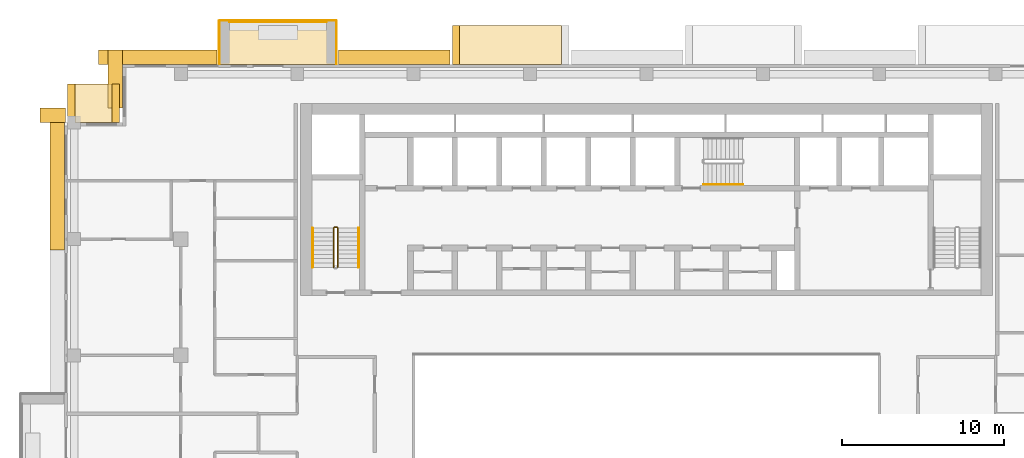
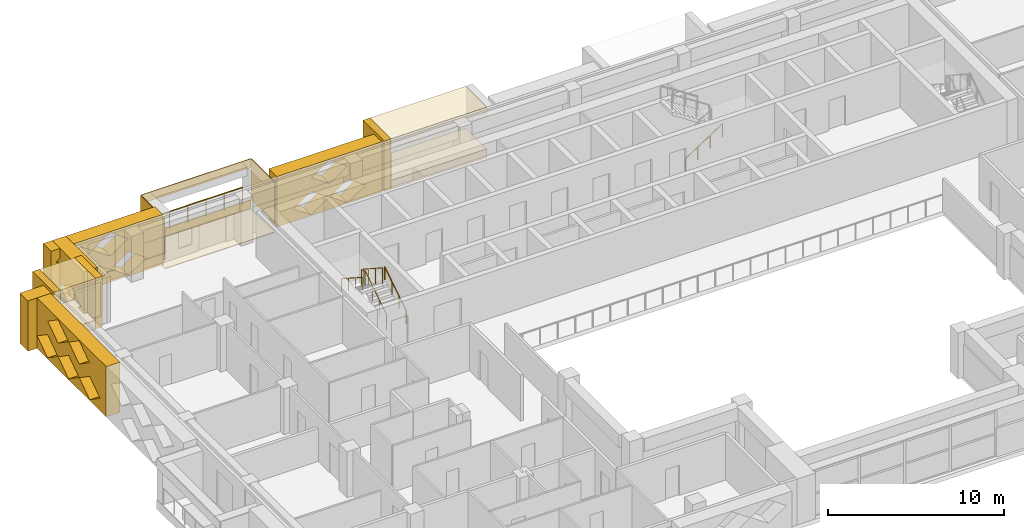
# One storey, part 18 of 20: 17 coverings, 5 railings.
"""IFC4 building model written with IfcOpenShell, lengths in metres."""

import ifcopenshell
import ifcopenshell.guid

model = None  # the IFC model being written
_history = None  # IfcOwnerHistory: only IFC2X3 demands one
_inside = {}  # id of a spatial element -> (the spatial element, [elements in it])
_under = {}  # id of a project, library or spatial element -> (it, [spatial elements below it])
_declared = {}  # id of a project -> (the project, [libraries it declares])
_typed = {}  # id of a type object -> (the type object, [elements of that type])
_made_of = {}  # id of a material, layer set ... -> (it, [elements and type objects made of it])


def new_model(schema):
    """Start an empty IFC model of exactly this schema.

    Asked for "IFC4X3", IfcOpenShell would pick the latest addendum, in which some entities
    have other attributes; the version numbers below select the first issue.
    IFC2X3 requires an IfcOwnerHistory on every rooted entity: one is made here for all.
    """
    global model, _history
    if schema == "IFC4X3":
        model = ifcopenshell.file(schema_version=(4, 3, 0, 0))
    else:
        model = ifcopenshell.file(schema=schema)
    _inside.clear()
    _under.clear()
    _declared.clear()
    _typed.clear()
    _made_of.clear()
    _history = None
    if model.schema == "IFC2X3":
        org = make("IfcOrganization", Name="unknown")
        user = make(
            "IfcPersonAndOrganization",
            ThePerson=make("IfcPerson", FamilyName="unknown"),
            TheOrganization=org,
        )
        app = make(
            "IfcApplication",
            ApplicationDeveloper=org,
            Version="unknown",
            ApplicationFullName="unknown",
            ApplicationIdentifier="unknown",
        )
        _history = make(
            "IfcOwnerHistory",
            OwningUser=user,
            OwningApplication=app,
            ChangeAction="ADDED",
            CreationDate=0,
        )
    return model


def make(cls, **values):
    """One entity of the class cls with the attributes given. An attribute that is None is left unset."""
    return model.create_entity(
        cls, **{name: value for name, value in values.items() if value is not None}
    )


def rooted(cls, **values):
    """An entity with a GlobalId (a new one), such as an element, a storey or a relation."""
    return make(cls, GlobalId=ifcopenshell.guid.new(), OwnerHistory=_history, **values)


def si_unit(unit_type, name, prefix=None):
    """IfcSIUnit, for example si_unit("LENGTHUNIT", "METRE", prefix="MILLI")."""
    return make("IfcSIUnit", UnitType=unit_type, Prefix=prefix, Name=name)


def assignment(units):
    """IfcUnitAssignment: the units of a project."""
    return None if units is None else make("IfcUnitAssignment", Units=units)


def point(xyz):
    """IfcCartesianPoint."""
    return None if xyz is None else make("IfcCartesianPoint", Coordinates=xyz)


def direction(xyz):
    """IfcDirection."""
    return None if xyz is None else make("IfcDirection", DirectionRatios=xyz)


def frame(location, z_axis=None, x_axis=None):
    """IfcAxis2Placement3D, a coordinate frame: its origin and axes. An axis left out is left unset."""
    return make(
        "IfcAxis2Placement3D",
        Location=point(location),
        Axis=direction(z_axis),
        RefDirection=direction(x_axis),
    )


def frame_2d(location, x_axis=None):
    """IfcAxis2Placement2D, a coordinate frame in the plane: its origin and x axis."""
    return make(
        "IfcAxis2Placement2D", Location=point(location), RefDirection=direction(x_axis)
    )


def origin():
    """The frame at (0, 0, 0) with its axes left unset."""
    return frame((0.0, 0.0, 0.0))


def origin_2d():
    """The frame at (0, 0) in the plane with its x axis left unset."""
    return frame_2d((0.0, 0.0))


def place(relative_to, where):
    """IfcLocalPlacement: puts the frame where relative to a parent placement (None: the world)."""
    return make(
        "IfcLocalPlacement", PlacementRelTo=relative_to, RelativePlacement=where
    )


def context(
    kind, dimensions, precision=None, world=None, true_north=None, identifier=None
):
    """IfcGeometricRepresentationContext, for example the 3D "Model" context."""
    return make(
        "IfcGeometricRepresentationContext",
        ContextIdentifier=identifier,
        ContextType=kind,
        CoordinateSpaceDimension=dimensions,
        Precision=precision,
        WorldCoordinateSystem=world,
        TrueNorth=true_north,
    )


def subcontext(parent, identifier, kind, view, scale=None):
    """IfcGeometricRepresentationSubContext, for example "Body" below "Model"."""
    return make(
        "IfcGeometricRepresentationSubContext",
        ContextIdentifier=identifier,
        ContextType=kind,
        ParentContext=parent,
        TargetScale=scale,
        TargetView=view,
    )


def project(units=None, contexts=None):
    """IfcProject with its units and contexts."""
    return rooted(
        "IfcProject",
        Name="project",
        RepresentationContexts=contexts,
        UnitsInContext=assignment(units),
    )


def spatial(cls, under=None, at=None, **own):
    """A site, building, storey or space (cls), placed at a placement, below another one or the project."""
    s = rooted(cls, ObjectPlacement=at, **own)
    if under is not None:
        _under.setdefault(under.id(), (under, []))[1].append(s)
    return s


def polyline(points):
    """IfcPolyline through the points."""
    return make("IfcPolyline", Points=[point(p) for p in points])


def profile(cls, at=None, kind="AREA", **sizes):
    """A parametric profile (cls). Its sizes go by their IFC names, for example OverallWidth=200.0."""
    return make(cls, ProfileType=kind, Position=at, **sizes)


def circle(**sizes):
    """IfcCircleProfileDef."""
    return profile("IfcCircleProfileDef", **sizes)


def outline(outer, holes=None, kind="AREA"):
    """IfcArbitraryClosedProfileDef: a profile drawn as a closed curve; with holes, ...WithVoids."""
    if holes is None:
        return make("IfcArbitraryClosedProfileDef", ProfileType=kind, OuterCurve=outer)
    return make(
        "IfcArbitraryProfileDefWithVoids",
        ProfileType=kind,
        OuterCurve=outer,
        InnerCurves=holes,
    )


def extrude(swept, where, along, depth):
    """IfcExtrudedAreaSolid: the profile swept, set in the frame where, extruded along a direction by depth."""
    return make(
        "IfcExtrudedAreaSolid",
        SweptArea=swept,
        Position=where,
        ExtrudedDirection=direction(along),
        Depth=depth,
    )


def shape(context_of_items, identifier, shape_type, items):
    """IfcShapeRepresentation: the items that make up one representation, for example the "Body"."""
    return make(
        "IfcShapeRepresentation",
        ContextOfItems=context_of_items,
        RepresentationIdentifier=identifier,
        RepresentationType=shape_type,
        Items=items,
    )


def material(Name=None, Category=None):
    """IfcMaterial."""
    return make("IfcMaterial", Name=Name, Category=Category)


def layer(
    of_material, thickness, ventilated=None, Name=None, Category=None, Priority=None
):
    """IfcMaterialLayer: one layer of a wall or slab, of a material (None: an air gap)."""
    return make(
        "IfcMaterialLayer",
        Material=of_material,
        LayerThickness=thickness,
        IsVentilated=ventilated,
        Name=Name,
        Category=Category,
        Priority=Priority,
    )


def layer_set(layers, Name=None):
    """IfcMaterialLayerSet."""
    return make("IfcMaterialLayerSet", MaterialLayers=layers, LayerSetName=Name)


def made_of(thing, what):
    """Note that an element or type object is made of a material, layer set ...; save() writes the relation."""
    if what is not None:
        _made_of.setdefault(what.id(), (what, []))[1].append(thing)
    return thing


def type_object(cls, material=None, **own):
    """A type object (cls), such as IfcWallType, which elements share."""
    return made_of(rooted(cls, **own), material)


def element(
    cls,
    number,
    at=None,
    inside=None,
    cuts=None,
    type_object=None,
    material=None,
    context=None,
    identifier="Body",
    shape_type=None,
    held_by="IfcProductDefinitionShape",
    body=None,
    shapes=None,
    **own,
):
    """One element of the class cls, such as IfcWall. Its Tag is "e" and its number.

    at: its placement. inside: the storey or other place that contains it. cuts: it is an
    opening in that element (IfcRelVoidsElement). A single representation is given by context,
    identifier, shape_type and body (its items); several are given by shapes. held_by: the class
    of the entity that holds the representations. save() writes the other relations.
    """
    e = rooted(cls, Tag="e%d" % number, ObjectPlacement=at, **own)
    if body is not None:
        shapes = [shape(context, identifier, shape_type, body)]
    if shapes is not None:
        e.Representation = make(held_by, Representations=shapes)
    if inside is not None:
        _inside.setdefault(inside.id(), (inside, []))[1].append(e)
    if cuts is not None:
        rooted(
            "IfcRelVoidsElement", RelatingBuildingElement=cuts, RelatedOpeningElement=e
        )
    if type_object is not None:
        _typed.setdefault(type_object.id(), (type_object, []))[1].append(e)
    return made_of(e, material)


def aggregate(whole, parts):
    """IfcRelAggregates: a whole, such as a stair, and the parts it consists of."""
    return rooted("IfcRelAggregates", RelatingObject=whole, RelatedObjects=parts)


def save(model, path):
    """Write the relations noted so far, then the file.

    IfcRelAggregates (storeys below a building ...), IfcRelContainedInSpatialStructure (elements
    in a storey), IfcRelDefinesByType, IfcRelAssociatesMaterial and IfcRelDeclares: one each for
    every whole, place, type object, material and project.
    """
    for whole, parts in _under.values():
        aggregate(whole, parts)
    for where, things in _inside.values():
        rooted(
            "IfcRelContainedInSpatialStructure",
            RelatedElements=things,
            RelatingStructure=where,
        )
    for kind, things in _typed.values():
        rooted("IfcRelDefinesByType", RelatedObjects=things, RelatingType=kind)
    for what, things in _made_of.values():
        rooted("IfcRelAssociatesMaterial", RelatedObjects=things, RelatingMaterial=what)
    for by, libraries in _declared.values():
        rooted("IfcRelDeclares", RelatingContext=by, RelatedDefinitions=libraries)
    model.write(path)


model = new_model("IFC4")

# Units and contexts
model_context = context("Model", 3, precision=1e-05, world=origin(), true_north=direction((0.0, 1.0)))
body_context = subcontext(model_context, "Body", "Model", "MODEL_VIEW")
ifc_project = project(units=[si_unit("LENGTHUNIT", "METRE"), si_unit("AREAUNIT", "SQUARE_METRE"), si_unit("VOLUMEUNIT", "CUBIC_METRE"), si_unit("PLANEANGLEUNIT", "RADIAN"), si_unit("MASSUNIT", "GRAM", prefix="KILO")], contexts=[model_context])

# Site, building, storey
site_placement = place(None, origin())
site = spatial("IfcSite", under=ifc_project, at=site_placement, CompositionType="ELEMENT")
building_placement = place(site_placement, origin())
building = spatial("IfcBuilding", under=site, at=building_placement, Name="Saffron Iwan Residences", CompositionType="ELEMENT")
storey_placement = place(building_placement, frame((0.0, 0.0, 181.5)))
storey = spatial("IfcBuildingStorey", under=building, at=storey_placement, Name="L48", CompositionType="ELEMENT", Elevation=181.5)

# Railing
ifc_material_1 = material(Name="Stainless steel 316", Category="steel")
railing_type_1 = type_object("IfcRailingType", Name="BALCONY GUARD 1150", PredefinedType="GUARDRAIL", material=ifc_material_1)
railing_1_placement = place(storey_placement, frame((30.60009765625, 83.02490234375, 0.0)))
element("IfcRailing", 1, at=railing_1_placement, inside=storey, type_object=railing_type_1, Name="Balcony guard L48 F5-3", PredefinedType="GUARDRAIL", context=body_context, shape_type="SweptSolid", body=[
    extrude(circle(Radius=0.02392578125, at=origin_2d()), frame((0.0, 0.0, 1.1259765625), z_axis=(-1.0, 0.0, 0.0), x_axis=(0.0, -1.0, 0.0)), (0.0, 0.0, 1.0), 6.0),
    extrude(circle(Radius=0.02099609375, at=origin_2d()), origin(), (0.0, 0.0, 1.0), 1.101806640625),
    extrude(circle(Radius=0.02099609375, at=origin_2d()), frame((-1.199951171875, 0.0, 0.0)), (0.0, 0.0, 1.0), 1.101806640625),
    extrude(circle(Radius=0.02099609375, at=origin_2d()), frame((-2.39990234375, 0.0, 0.0)), (0.0, 0.0, 1.0), 1.101806640625),
    extrude(circle(Radius=0.02099609375, at=origin_2d()), frame((-3.60009765625, 0.0, 0.0)), (0.0, 0.0, 1.0), 1.101806640625),
    extrude(circle(Radius=0.02099609375, at=origin_2d()), frame((-4.800048828125, 0.0, 0.0)), (0.0, 0.0, 1.0), 1.101806640625),
    extrude(circle(Radius=0.02099609375, at=origin_2d()), frame((-6.0, 0.0, 0.0)), (0.0, 0.0, 1.0), 1.101806640625),
])

# Coverings
ifc_material_2 = material(Name="Precast concrete C40/50 white painted", Category="concrete")
ifc_layer = layer(ifc_material_2, 0.050048828125)
ifc_layer_set = layer_set([ifc_layer], Name="Precast concrete C40/50 white painted")
covering_type_1 = type_object("IfcCoveringType", Name="FRAME SKIN PRECAST WHITE 50", PredefinedType="CLADDING", material=ifc_layer_set)
for number, where, name in (
    (2, (0.0, 0.0, -0.60009765625), "Frame skin slab edge L48 F5-3"),
    (3, (0.0, 0.0, 2.25), "Frame skin fascia L48 F5-3"),
):
    element("IfcCovering", number, at=place(storey_placement, frame(where)), inside=storey, type_object=covering_type_1, Name=name, PredefinedType="CLADDING", context=body_context, shape_type="SweptSolid", body=[
        extrude(outline(polyline([(31.199951171875, 83.14990234375), (24.0, 83.14990234375), (24.0, 83.10009765625), (31.199951171875, 83.10009765625), (31.199951171875, 83.14990234375)])), origin(), (0.0, 0.0, 1.0), 0.60009765625),
    ])
covering_1_placement = place(storey_placement, frame((0.0, 0.0, -0.64990234375)))
element("IfcCovering", 4, at=covering_1_placement, inside=storey, type_object=covering_type_1, Name="Frame skin soffit L48 F5-3", PredefinedType="CLADDING", context=body_context, shape_type="SweptSolid", body=[
    extrude(outline(polyline([(31.199951171875, 83.10009765625), (24.0, 83.10009765625), (24.0, 80.39990234375), (31.199951171875, 80.39990234375), (31.199951171875, 83.10009765625)])), origin(), (0.0, 0.0, 1.0), 0.0498046875),
])
covering_2_placement = place(storey_placement, origin())
element("IfcCovering", 5, at=covering_2_placement, inside=storey, type_object=covering_type_1, Name="Frame skin fin L48 F5-3a", PredefinedType="CLADDING", context=body_context, shape_type="SweptSolid", body=[
    extrude(outline(polyline([(31.25, 83.10009765625), (31.199951171875, 83.10009765625), (31.199951171875, 80.39990234375), (31.25, 80.39990234375), (31.25, 83.10009765625)])), origin(), (0.0, 0.0, 1.0), 2.85009765625),
])
covering_3_placement = place(storey_placement, origin())
element("IfcCovering", 6, at=covering_3_placement, inside=storey, type_object=covering_type_1, Name="Frame skin fin L48 F5-3b", PredefinedType="CLADDING", context=body_context, shape_type="SweptSolid", body=[
    extrude(outline(polyline([(24.0, 83.10009765625), (23.949951171875, 83.10009765625), (23.949951171875, 80.39990234375), (24.0, 80.39990234375), (24.0, 83.10009765625)])), origin(), (0.0, 0.0, 1.0), 2.85009765625),
])
ifc_material_3 = material(Name="Precast concrete C40/50", Category="concrete")
covering_type_2 = type_object("IfcCoveringType", Name="OUTER SKIN LATTICE SCREEN", PredefinedType="CLADDING", material=ifc_material_3)
covering_4_placement = place(storey_placement, frame((38.25, 80.39990234375, -0.300048828125), z_axis=(0.0, 1.0, 0.0), x_axis=(-1.0, 0.0, 0.0)))
element("IfcCovering", 7, at=covering_4_placement, inside=storey, type_object=covering_type_2, Name="OUTER SKIN lattice screen L48 F5.3", PredefinedType="CLADDING", context=body_context, shape_type="SweptSolid", body=[
    extrude(outline(polyline([(0.0, 0.0), (6.89990234375, 0.0), (6.89990234375, 3.5), (0.0, 3.5), (0.0, 0.0)]), holes=[polyline([(1.070068359375, 0.875), (2.25, 0.06005859375), (3.429931640625, 0.875), (2.25, 1.68994140625), (1.070068359375, 0.875)]), polyline([(3.469970703125, 0.875), (4.64990234375, 0.06005859375), (5.830078125, 0.875), (4.64990234375, 1.68994140625), (3.469970703125, 0.875)]), polyline([(2.27001953125, 2.625), (3.449951171875, 1.81005859375), (4.6298828125, 2.625), (3.449951171875, 3.43994140625), (2.27001953125, 2.625)])]), origin(), (0.0, 0.0, 1.0), 0.900146484375),
])
covering_5_placement = place(storey_placement, frame((23.85009765625, 80.39990234375, -0.300048828125), z_axis=(0.0, 1.0, 0.0), x_axis=(-1.0, 0.0, 0.0)))
element("IfcCovering", 8, at=covering_5_placement, inside=storey, type_object=covering_type_2, Name="OUTER SKIN lattice screen L48 F5.4", PredefinedType="CLADDING", context=body_context, shape_type="SweptSolid", body=[
    extrude(outline(polyline([(0.0, 0.0), (7.35009765625, 0.0), (7.35009765625, 3.5), (0.0, 3.5), (0.0, 0.0)]), holes=[polyline([(1.070068359375, 0.875), (2.25, 0.06005859375), (3.429931640625, 0.875), (2.25, 1.68994140625), (1.070068359375, 0.875)]), polyline([(3.469970703125, 0.875), (4.64990234375, 0.06005859375), (5.830078125, 0.875), (4.64990234375, 1.68994140625), (3.469970703125, 0.875)]), polyline([(2.27001953125, 2.625), (3.449951171875, 1.81005859375), (4.6298828125, 2.625), (3.449951171875, 3.43994140625), (2.27001953125, 2.625)]), polyline([(4.669921875, 2.625), (5.85009765625, 1.81005859375), (7.030029296875, 2.625), (5.85009765625, 3.43994140625), (4.669921875, 2.625)])]), origin(), (0.0, 0.0, 1.0), 0.900146484375),
])
covering_6_placement = place(storey_placement, frame((18.0, 81.300048828125, -0.300048828125), z_axis=(-1.0, 0.0, 0.0), x_axis=(0.0, -1.0, 0.0)))
element("IfcCovering", 9, at=covering_6_placement, inside=storey, type_object=covering_type_2, Name="OUTER SKIN lattice screen L48 F6.0", PredefinedType="CLADDING", context=body_context, shape_type="SweptSolid", body=[
    extrude(outline(polyline([(0.0, 0.0), (3.60009765625, 0.0), (3.60009765625, 3.5), (0.0, 3.5), (0.0, 0.0)]), holes=[polyline([(0.919921875, 0.875), (2.10009765625, 0.06005859375), (3.280029296875, 0.875), (2.10009765625, 1.68994140625), (0.919921875, 0.875)])]), origin(), (0.0, 0.0, 1.0), 0.89990234375),
])
covering_7_placement = place(storey_placement, frame((14.449951171875, 76.800048828125, -0.300048828125), z_axis=(0.0, 1.0, 0.0), x_axis=(-1.0, 0.0, 0.0)))
element("IfcCovering", 10, at=covering_7_placement, inside=storey, type_object=covering_type_2, Name="OUTER SKIN lattice screen L48 F7.0", PredefinedType="CLADDING", context=body_context, shape_type="SweptSolid", body=[
    extrude(outline(polyline([(0.0, 0.0), (1.550048828125, 0.0), (1.550048828125, 3.5), (0.0, 3.5), (0.0, 0.0)])), origin(), (0.0, 0.0, 1.0), 0.89990234375),
])
covering_8_placement = place(storey_placement, frame((14.39990234375, 77.699951171875, -0.300048828125), z_axis=(-1.0, 0.0, 0.0), x_axis=(0.0, -1.0, 0.0)))
element("IfcCovering", 11, at=covering_8_placement, inside=storey, type_object=covering_type_2, Name="OUTER SKIN lattice screen L48 F8.0", PredefinedType="CLADDING", context=body_context, shape_type="SweptSolid", body=[
    extrude(outline(polyline([(0.0, 0.0), (8.77490234375, 0.0), (8.77490234375, 3.5), (0.0, 3.5), (0.0, 0.0)]), holes=[polyline([(0.919921875, 0.875), (2.10009765625, 0.06005859375), (3.280029296875, 0.875), (2.10009765625, 1.68994140625), (0.919921875, 0.875)]), polyline([(3.320068359375, 0.875), (4.5, 0.06005859375), (5.679931640625, 0.875), (4.5, 1.68994140625), (3.320068359375, 0.875)]), polyline([(5.719970703125, 0.875), (6.89990234375, 0.06005859375), (8.080078125, 0.875), (6.89990234375, 1.68994140625), (5.719970703125, 0.875)]), polyline([(2.1201171875, 2.625), (3.300048828125, 1.81005859375), (4.47998046875, 2.625), (3.300048828125, 3.43994140625), (2.1201171875, 2.625)]), polyline([(4.52001953125, 2.625), (5.699951171875, 1.81005859375), (6.8798828125, 2.625), (5.699951171875, 3.43994140625), (4.52001953125, 2.625)])]), origin(), (0.0, 0.0, 1.0), 0.89990234375),
])

# Railings
ifc_material_4 = material(Name="Steel S355", Category="steel")
railing_type_2 = type_object("IfcRailingType", Name="Stair guard 1100", PredefinedType="GUARDRAIL", material=ifc_material_4)
railing_2_placement = place(storey_placement, frame((31.300048828125, 67.85009765625, 0.175048828125)))
element("IfcRailing", 12, at=railing_2_placement, inside=storey, type_object=railing_type_2, Name="L48 ST-W stair guard 1", PredefinedType="GUARDRAIL", context=body_context, shape_type="SweptSolid", body=[
    extrude(circle(Radius=0.02392578125, at=origin_2d()), frame((0.0, 0.0, 1.076171875), z_axis=(0.0, 0.839153699163, 0.543894354798), x_axis=(-1.0, 0.0, 0.0)), (0.0, 0.0, 1.0), 2.895751953125),
    extrude(circle(Radius=0.02392578125, at=origin_2d()), frame((0.0, 2.429931640625, 2.65087890625), z_axis=(-0.707106781187, 0.707106781187, 0.0), x_axis=(-0.707106781187, -0.707106781187, 0.0)), (0.0, 0.0, 1.0), 0.07080078125),
    extrude(circle(Radius=0.02392578125, at=origin_2d()), frame((-0.050048828125, 2.47998046875, 2.65087890625), z_axis=(-1.0, 0.0, 0.0), x_axis=(0.0, -1.0, 0.0)), (0.0, 0.0, 1.0), 0.14990234375),
    extrude(circle(Radius=0.02392578125, at=origin_2d()), frame((-0.199951171875, 2.47998046875, 2.65087890625), z_axis=(-0.265065253269, -0.265065253269, 0.927081885822), x_axis=(0.707106781187, -0.707106781187, 0.0)), (0.0, 0.0, 1.0), 0.188720703125),
    extrude(circle(Radius=0.02392578125, at=origin_2d()), frame((-0.25, 2.429931640625, 2.826171875), z_axis=(0.0, -0.839153699163, 0.543894354798), x_axis=(1.0, 0.0, 0.0)), (0.0, 0.0, 1.0), 2.895751953125),
    extrude(circle(Radius=0.02099609375, at=origin_2d()), origin(), (0.0, 0.0, 1.0), 1.052001953125),
    extrude(circle(Radius=0.02099609375, at=origin_2d()), frame((0.0, 0.81005859375, 0.52490234375)), (0.0, 0.0, 1.0), 1.052001953125),
    extrude(circle(Radius=0.02099609375, at=origin_2d()), frame((0.0, 1.619873046875, 1.050048828125)), (0.0, 0.0, 1.0), 1.052001953125),
    extrude(circle(Radius=0.02099609375, at=origin_2d()), frame((0.0, 2.429931640625, 1.574951171875)), (0.0, 0.0, 1.0), 1.052001953125),
    extrude(circle(Radius=0.02099609375, at=origin_2d()), frame((-0.050048828125, 2.47998046875, 1.574951171875)), (0.0, 0.0, 1.0), 1.052001953125),
    extrude(circle(Radius=0.02099609375, at=origin_2d()), frame((-0.199951171875, 2.47998046875, 1.574951171875)), (0.0, 0.0, 1.0), 1.052001953125),
    extrude(circle(Radius=0.02099609375, at=origin_2d()), frame((-0.25, 2.429931640625, 1.75)), (0.0, 0.0, 1.0), 1.052001953125),
    extrude(circle(Radius=0.02099609375, at=origin_2d()), frame((-0.25, 1.619873046875, 2.27490234375)), (0.0, 0.0, 1.0), 1.052001953125),
    extrude(circle(Radius=0.02099609375, at=origin_2d()), frame((-0.25, 0.81005859375, 2.800048828125)), (0.0, 0.0, 1.0), 1.052001953125),
    extrude(circle(Radius=0.02099609375, at=origin_2d()), frame((-0.25, 0.0, 3.324951171875)), (0.0, 0.0, 1.0), 1.052001953125),
])
railing_type_3 = type_object("IfcRailingType", Name="Stair handrail 900", PredefinedType="HANDRAIL", material=ifc_material_1)
railing_3_placement = place(storey_placement, frame((32.60009765625, 67.85009765625, 0.175048828125)))
element("IfcRailing", 13, at=railing_3_placement, inside=storey, type_object=railing_type_3, Name="L48 ST-W stair handrail 1", PredefinedType="HANDRAIL", context=body_context, shape_type="SweptSolid", body=[
    extrude(circle(Radius=0.02392578125, at=origin_2d()), frame((0.0, 0.0, 0.8759765625), z_axis=(0.0, 0.839153699163, 0.543894354798), x_axis=(-1.0, 0.0, 0.0)), (0.0, 0.0, 1.0), 2.895751953125),
    extrude(circle(Radius=0.02099609375, at=origin_2d()), origin(), (0.0, 0.0, 1.0), 0.851806640625),
    extrude(circle(Radius=0.02099609375, at=origin_2d()), frame((0.0, 0.81005859375, 0.52490234375)), (0.0, 0.0, 1.0), 0.851806640625),
    extrude(circle(Radius=0.02099609375, at=origin_2d()), frame((0.0, 1.619873046875, 1.050048828125)), (0.0, 0.0, 1.0), 0.851806640625),
    extrude(circle(Radius=0.02099609375, at=origin_2d()), frame((0.0, 2.429931640625, 1.574951171875)), (0.0, 0.0, 1.0), 0.851806640625),
])
railing_4_placement = place(storey_placement, frame((29.75, 70.280029296875, 1.925048828125)))
element("IfcRailing", 14, at=railing_4_placement, inside=storey, type_object=railing_type_3, Name="L48 ST-W stair handrail 2", PredefinedType="HANDRAIL", context=body_context, shape_type="SweptSolid", body=[
    extrude(circle(Radius=0.02392578125, at=origin_2d()), frame((0.0, 0.0, 0.8759765625), z_axis=(0.0, -0.839153699163, 0.543894354798), x_axis=(1.0, 0.0, 0.0)), (0.0, 0.0, 1.0), 2.895751953125),
    extrude(circle(Radius=0.02099609375, at=origin_2d()), origin(), (0.0, 0.0, 1.0), 0.851806640625),
    extrude(circle(Radius=0.02099609375, at=origin_2d()), frame((0.0, -0.81005859375, 0.52490234375)), (0.0, 0.0, 1.0), 0.851806640625),
    extrude(circle(Radius=0.02099609375, at=origin_2d()), frame((0.0, -1.619873046875, 1.050048828125)), (0.0, 0.0, 1.0), 0.851806640625),
    extrude(circle(Radius=0.02099609375, at=origin_2d()), frame((0.0, -2.429931640625, 1.574951171875)), (0.0, 0.0, 1.0), 0.851806640625),
])
railing_5_placement = place(storey_placement, frame((53.925048828125, 72.97509765625, 0.175048828125)))
element("IfcRailing", 15, at=railing_5_placement, inside=storey, type_object=railing_type_3, Name="L48 ST-C stair handrail 1", PredefinedType="HANDRAIL", context=body_context, shape_type="SweptSolid", body=[
    extrude(circle(Radius=0.02392578125, at=origin_2d()), frame((0.0, 0.0, 0.8759765625), z_axis=(0.839153699163, 0.0, 0.543894354798), x_axis=(0.0, 1.0, 0.0)), (0.0, 0.0, 1.0), 2.895751953125),
    extrude(circle(Radius=0.02099609375, at=origin_2d()), origin(), (0.0, 0.0, 1.0), 0.851806640625),
    extrude(circle(Radius=0.02099609375, at=origin_2d()), frame((0.81005859375, 0.0, 0.52490234375)), (0.0, 0.0, 1.0), 0.851806640625),
    extrude(circle(Radius=0.02099609375, at=origin_2d()), frame((1.619873046875, 0.0, 1.050048828125)), (0.0, 0.0, 1.0), 0.851806640625),
    extrude(circle(Radius=0.02099609375, at=origin_2d()), frame((2.429931640625, 0.0, 1.574951171875)), (0.0, 0.0, 1.0), 0.851806640625),
])

# Coverings
covering_type_3 = type_object("IfcCoveringType", Name="WHITE SUN FRAME PRECAST", PredefinedType="CLADDING", material=ifc_material_2)
covering_9_placement = place(storey_placement, frame((38.85009765625, 80.39990234375, -0.300048828125), z_axis=(0.0, 1.0, 0.0), x_axis=(-1.0, 0.0, 0.0)))
element("IfcCovering", 16, at=covering_9_placement, inside=storey, type_object=covering_type_3, Name="Sun frame L48 F5 37.2b", PredefinedType="CLADDING", context=body_context, shape_type="SweptSolid", body=[
    extrude(outline(polyline([(0.0, 0.0), (0.449951171875, 0.0), (0.449951171875, 3.5), (0.0, 3.5), (0.0, 0.0)])), origin(), (0.0, 0.0, 1.0), 2.400146484375),
])
for number, where, z_axis, x_axis, name in (
    (17, (45.14990234375, 80.39990234375, 2.60009765625), (0.0, 1.0, 0.0), (-1.0, 0.0, 0.0), "Sun frame L48 F5 37.2h"),
    (18, (45.14990234375, 80.39990234375, -0.300048828125), (0.0, 1.0, 0.0), (-1.0, 0.0, 0.0), "Sun frame L48 F5 37.2s"),
):
    element("IfcCovering", number, at=place(storey_placement, frame(where, z_axis=z_axis, x_axis=x_axis)), inside=storey, type_object=covering_type_3, Name=name, PredefinedType="CLADDING", context=body_context, shape_type="SweptSolid", body=[
        extrude(outline(polyline([(0.0, 0.0), (6.300048828125, 0.0), (6.300048828125, 0.60009765625), (0.0, 0.60009765625), (0.0, 0.0)])), origin(), (0.0, 0.0, 1.0), 2.400146484375),
    ])
for number, where, z_axis, x_axis, name in (
    (19, (17.800048828125, 76.800048828125, -0.300048828125), (0.0, 1.0, 0.0), (-1.0, 0.0, 0.0), "Sun frame L48 F7 0.2a"),
    (20, (15.050048828125, 76.800048828125, -0.300048828125), (0.0, 1.0, 0.0), (-1.0, 0.0, 0.0), "Sun frame L48 F7 0.2b"),
):
    element("IfcCovering", number, at=place(storey_placement, frame(where, z_axis=z_axis, x_axis=x_axis)), inside=storey, type_object=covering_type_3, Name=name, PredefinedType="CLADDING", context=body_context, shape_type="SweptSolid", body=[
        extrude(outline(polyline([(0.0, 0.0), (0.449951171875, 0.0), (0.449951171875, 3.5), (0.0, 3.5), (0.0, 0.0)])), origin(), (0.0, 0.0, 1.0), 2.39990234375),
    ])
for number, where, z_axis, x_axis, name in (
    (21, (17.35009765625, 76.800048828125, 2.60009765625), (0.0, 1.0, 0.0), (-1.0, 0.0, 0.0), "Sun frame L48 F7 0.2h"),
    (22, (17.35009765625, 76.800048828125, -0.300048828125), (0.0, 1.0, 0.0), (-1.0, 0.0, 0.0), "Sun frame L48 F7 0.2s"),
):
    element("IfcCovering", number, at=place(storey_placement, frame(where, z_axis=z_axis, x_axis=x_axis)), inside=storey, type_object=covering_type_3, Name=name, PredefinedType="CLADDING", context=body_context, shape_type="SweptSolid", body=[
        extrude(outline(polyline([(0.0, 0.0), (2.300048828125, 0.0), (2.300048828125, 0.60009765625), (0.0, 0.60009765625), (0.0, 0.0)])), origin(), (0.0, 0.0, 1.0), 2.39990234375),
    ])

save(model, "model.ifc")
